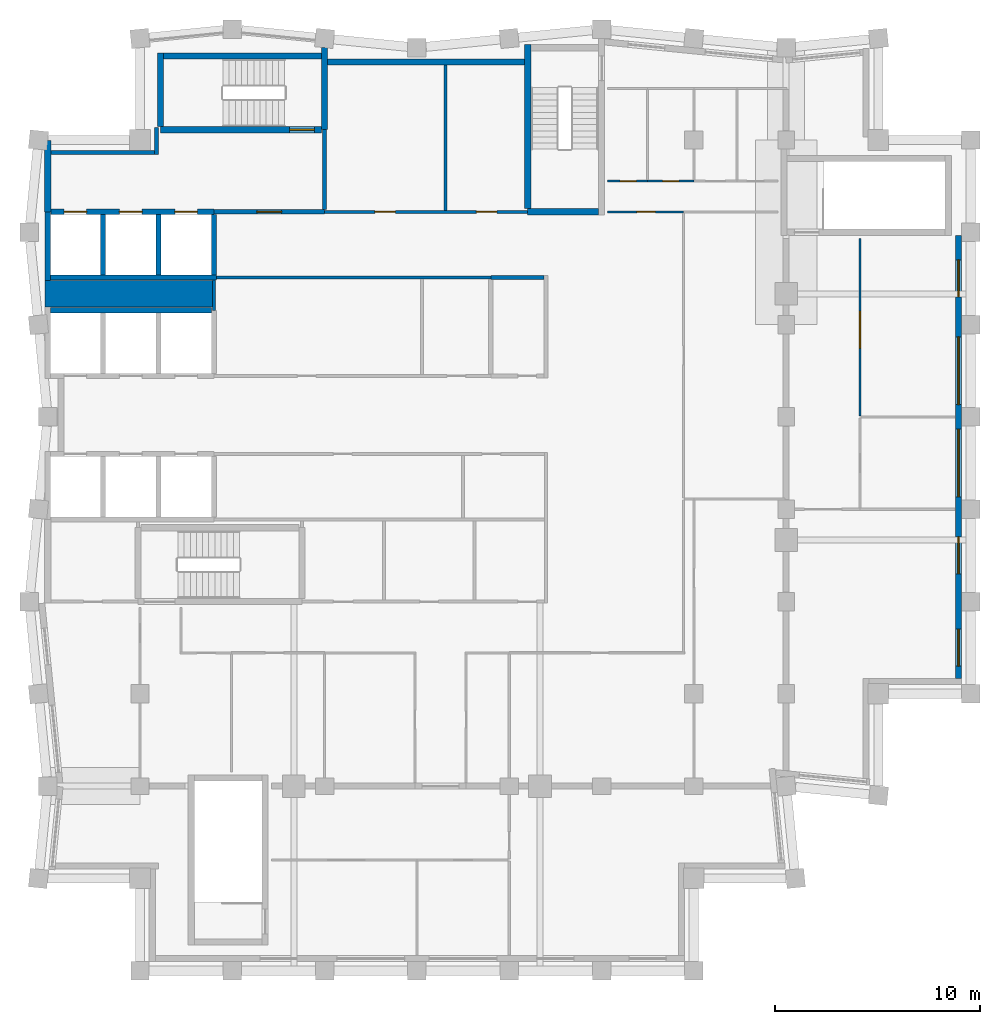
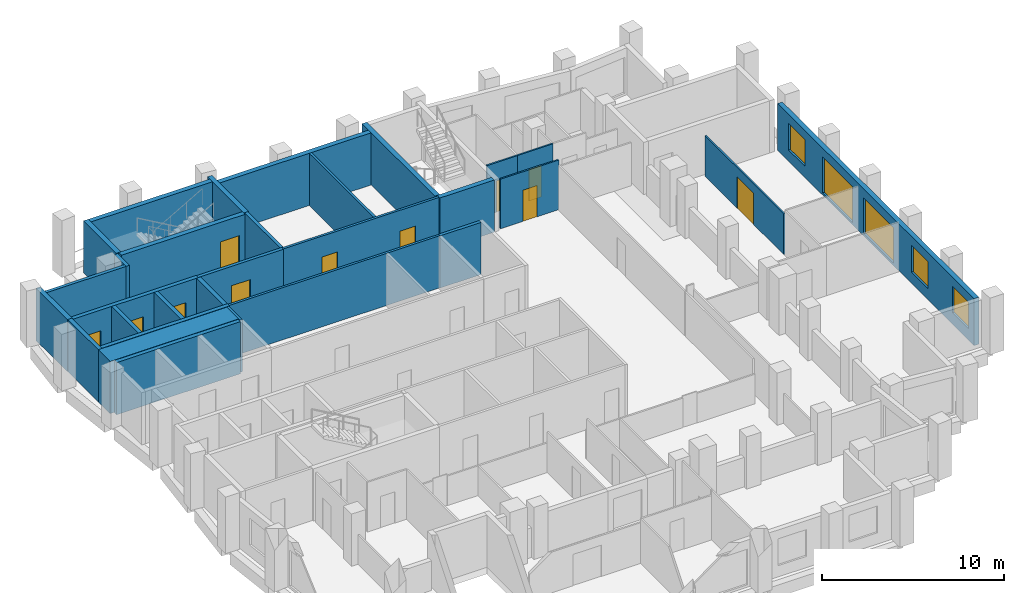
# One storey, part 5 of 7: 30 walls, 11 doors, 5 windows, 16 openings.
"""IFC4 building model written with IfcOpenShell, lengths in metres."""

import ifcopenshell
import ifcopenshell.guid

model = None  # the IFC model being written
_history = None  # IfcOwnerHistory: only IFC2X3 demands one
_inside = {}  # id of a spatial element -> (the spatial element, [elements in it])
_under = {}  # id of a project, library or spatial element -> (it, [spatial elements below it])
_declared = {}  # id of a project -> (the project, [libraries it declares])
_typed = {}  # id of a type object -> (the type object, [elements of that type])
_made_of = {}  # id of a material, layer set ... -> (it, [elements and type objects made of it])


def new_model(schema):
    """Start an empty IFC model of exactly this schema.

    Asked for "IFC4X3", IfcOpenShell would pick the latest addendum, in which some entities
    have other attributes; the version numbers below select the first issue.
    IFC2X3 requires an IfcOwnerHistory on every rooted entity: one is made here for all.
    """
    global model, _history
    if schema == "IFC4X3":
        model = ifcopenshell.file(schema_version=(4, 3, 0, 0))
    else:
        model = ifcopenshell.file(schema=schema)
    _inside.clear()
    _under.clear()
    _declared.clear()
    _typed.clear()
    _made_of.clear()
    _history = None
    if model.schema == "IFC2X3":
        org = make("IfcOrganization", Name="unknown")
        user = make(
            "IfcPersonAndOrganization",
            ThePerson=make("IfcPerson", FamilyName="unknown"),
            TheOrganization=org,
        )
        app = make(
            "IfcApplication",
            ApplicationDeveloper=org,
            Version="unknown",
            ApplicationFullName="unknown",
            ApplicationIdentifier="unknown",
        )
        _history = make(
            "IfcOwnerHistory",
            OwningUser=user,
            OwningApplication=app,
            ChangeAction="ADDED",
            CreationDate=0,
        )
    return model


def make(cls, **values):
    """One entity of the class cls with the attributes given. An attribute that is None is left unset."""
    return model.create_entity(
        cls, **{name: value for name, value in values.items() if value is not None}
    )


def rooted(cls, **values):
    """An entity with a GlobalId (a new one), such as an element, a storey or a relation."""
    return make(cls, GlobalId=ifcopenshell.guid.new(), OwnerHistory=_history, **values)


def si_unit(unit_type, name, prefix=None):
    """IfcSIUnit, for example si_unit("LENGTHUNIT", "METRE", prefix="MILLI")."""
    return make("IfcSIUnit", UnitType=unit_type, Prefix=prefix, Name=name)


def assignment(units):
    """IfcUnitAssignment: the units of a project."""
    return None if units is None else make("IfcUnitAssignment", Units=units)


def point(xyz):
    """IfcCartesianPoint."""
    return None if xyz is None else make("IfcCartesianPoint", Coordinates=xyz)


def direction(xyz):
    """IfcDirection."""
    return None if xyz is None else make("IfcDirection", DirectionRatios=xyz)


def frame(location, z_axis=None, x_axis=None):
    """IfcAxis2Placement3D, a coordinate frame: its origin and axes. An axis left out is left unset."""
    return make(
        "IfcAxis2Placement3D",
        Location=point(location),
        Axis=direction(z_axis),
        RefDirection=direction(x_axis),
    )


def frame_2d(location, x_axis=None):
    """IfcAxis2Placement2D, a coordinate frame in the plane: its origin and x axis."""
    return make(
        "IfcAxis2Placement2D", Location=point(location), RefDirection=direction(x_axis)
    )


def origin():
    """The frame at (0, 0, 0) with its axes left unset."""
    return frame((0.0, 0.0, 0.0))


def place(relative_to, where):
    """IfcLocalPlacement: puts the frame where relative to a parent placement (None: the world)."""
    return make(
        "IfcLocalPlacement", PlacementRelTo=relative_to, RelativePlacement=where
    )


def context(
    kind, dimensions, precision=None, world=None, true_north=None, identifier=None
):
    """IfcGeometricRepresentationContext, for example the 3D "Model" context."""
    return make(
        "IfcGeometricRepresentationContext",
        ContextIdentifier=identifier,
        ContextType=kind,
        CoordinateSpaceDimension=dimensions,
        Precision=precision,
        WorldCoordinateSystem=world,
        TrueNorth=true_north,
    )


def subcontext(parent, identifier, kind, view, scale=None):
    """IfcGeometricRepresentationSubContext, for example "Body" below "Model"."""
    return make(
        "IfcGeometricRepresentationSubContext",
        ContextIdentifier=identifier,
        ContextType=kind,
        ParentContext=parent,
        TargetScale=scale,
        TargetView=view,
    )


def project(units=None, contexts=None):
    """IfcProject with its units and contexts."""
    return rooted(
        "IfcProject",
        Name="project",
        RepresentationContexts=contexts,
        UnitsInContext=assignment(units),
    )


def spatial(cls, under=None, at=None, **own):
    """A site, building, storey or space (cls), placed at a placement, below another one or the project."""
    s = rooted(cls, ObjectPlacement=at, **own)
    if under is not None:
        _under.setdefault(under.id(), (under, []))[1].append(s)
    return s


def profile(cls, at=None, kind="AREA", **sizes):
    """A parametric profile (cls). Its sizes go by their IFC names, for example OverallWidth=200.0."""
    return make(cls, ProfileType=kind, Position=at, **sizes)


def rectangle(**sizes):
    """IfcRectangleProfileDef."""
    return profile("IfcRectangleProfileDef", **sizes)


def extrude(swept, where, along, depth):
    """IfcExtrudedAreaSolid: the profile swept, set in the frame where, extruded along a direction by depth."""
    return make(
        "IfcExtrudedAreaSolid",
        SweptArea=swept,
        Position=where,
        ExtrudedDirection=direction(along),
        Depth=depth,
    )


def shape(context_of_items, identifier, shape_type, items):
    """IfcShapeRepresentation: the items that make up one representation, for example the "Body"."""
    return make(
        "IfcShapeRepresentation",
        ContextOfItems=context_of_items,
        RepresentationIdentifier=identifier,
        RepresentationType=shape_type,
        Items=items,
    )


def material(Name=None, Category=None):
    """IfcMaterial."""
    return make("IfcMaterial", Name=Name, Category=Category)


def layer(
    of_material, thickness, ventilated=None, Name=None, Category=None, Priority=None
):
    """IfcMaterialLayer: one layer of a wall or slab, of a material (None: an air gap)."""
    return make(
        "IfcMaterialLayer",
        Material=of_material,
        LayerThickness=thickness,
        IsVentilated=ventilated,
        Name=Name,
        Category=Category,
        Priority=Priority,
    )


def layer_set(layers, Name=None):
    """IfcMaterialLayerSet."""
    return make("IfcMaterialLayerSet", MaterialLayers=layers, LayerSetName=Name)


def made_of(thing, what):
    """Note that an element or type object is made of a material, layer set ...; save() writes the relation."""
    if what is not None:
        _made_of.setdefault(what.id(), (what, []))[1].append(thing)
    return thing


def type_object(cls, material=None, **own):
    """A type object (cls), such as IfcWallType, which elements share."""
    return made_of(rooted(cls, **own), material)


def element(
    cls,
    number,
    at=None,
    inside=None,
    cuts=None,
    type_object=None,
    material=None,
    context=None,
    identifier="Body",
    shape_type=None,
    held_by="IfcProductDefinitionShape",
    body=None,
    shapes=None,
    **own,
):
    """One element of the class cls, such as IfcWall. Its Tag is "e" and its number.

    at: its placement. inside: the storey or other place that contains it. cuts: it is an
    opening in that element (IfcRelVoidsElement). A single representation is given by context,
    identifier, shape_type and body (its items); several are given by shapes. held_by: the class
    of the entity that holds the representations. save() writes the other relations.
    """
    e = rooted(cls, Tag="e%d" % number, ObjectPlacement=at, **own)
    if body is not None:
        shapes = [shape(context, identifier, shape_type, body)]
    if shapes is not None:
        e.Representation = make(held_by, Representations=shapes)
    if inside is not None:
        _inside.setdefault(inside.id(), (inside, []))[1].append(e)
    if cuts is not None:
        rooted(
            "IfcRelVoidsElement", RelatingBuildingElement=cuts, RelatedOpeningElement=e
        )
    if type_object is not None:
        _typed.setdefault(type_object.id(), (type_object, []))[1].append(e)
    return made_of(e, material)


def fill(opening, filler):
    """IfcRelFillsElement: the door or window that sits in an opening."""
    return rooted(
        "IfcRelFillsElement",
        RelatingOpeningElement=opening,
        RelatedBuildingElement=filler,
    )


def aggregate(whole, parts):
    """IfcRelAggregates: a whole, such as a stair, and the parts it consists of."""
    return rooted("IfcRelAggregates", RelatingObject=whole, RelatedObjects=parts)


def save(model, path):
    """Write the relations noted so far, then the file.

    IfcRelAggregates (storeys below a building ...), IfcRelContainedInSpatialStructure (elements
    in a storey), IfcRelDefinesByType, IfcRelAssociatesMaterial and IfcRelDeclares: one each for
    every whole, place, type object, material and project.
    """
    for whole, parts in _under.values():
        aggregate(whole, parts)
    for where, things in _inside.values():
        rooted(
            "IfcRelContainedInSpatialStructure",
            RelatedElements=things,
            RelatingStructure=where,
        )
    for kind, things in _typed.values():
        rooted("IfcRelDefinesByType", RelatedObjects=things, RelatingType=kind)
    for what, things in _made_of.values():
        rooted("IfcRelAssociatesMaterial", RelatedObjects=things, RelatingMaterial=what)
    for by, libraries in _declared.values():
        rooted("IfcRelDeclares", RelatingContext=by, RelatedDefinitions=libraries)
    model.write(path)


model = new_model("IFC4")

# Units and contexts
model_context = context("Model", 3, precision=1e-05, world=origin(), true_north=direction((0.0, 1.0)))
body_context = subcontext(model_context, "Body", "Model", "MODEL_VIEW")
ifc_project = project(units=[si_unit("LENGTHUNIT", "METRE"), si_unit("AREAUNIT", "SQUARE_METRE"), si_unit("VOLUMEUNIT", "CUBIC_METRE"), si_unit("PLANEANGLEUNIT", "RADIAN"), si_unit("MASSUNIT", "GRAM", prefix="KILO")], contexts=[model_context])

# Site, building, storey
site_placement = place(None, origin())
site = spatial("IfcSite", under=ifc_project, at=site_placement, CompositionType="ELEMENT")
building_placement = place(site_placement, origin())
building = spatial("IfcBuilding", under=site, at=building_placement, Name="Brondeck Convention Tower", CompositionType="ELEMENT")
storey_placement = place(building_placement, frame((0.0, 0.0, 279.0)))
storey = spatial("IfcBuildingStorey", under=building, at=storey_placement, Name="L69", CompositionType="ELEMENT", Elevation=279.0)

# Wall
ifc_material_1 = material(Name="Concrete C50/60", Category="concrete")
ifc_layer_1 = layer(ifc_material_1, 0.14990234375)
ifc_layer_set_1 = layer_set([ifc_layer_1], Name="Core beam-seat wall 150 Concrete C50/60")
wall_type_1 = type_object("IfcWallType", Name="Core beam-seat wall 150 Concrete C50/60", PredefinedType="SHEAR", material=ifc_layer_set_1)
wall_1_placement = place(storey_placement, frame((8.22509765625, 51.800048828125, 0.0), z_axis=(0.0, 0.0, 1.0), x_axis=(1.0, 0.0, 0.0)))
element("IfcWall", 1, at=wall_1_placement, inside=storey, type_object=wall_type_1, Name="L69 core wall", PredefinedType="SHEAR", context=body_context, shape_type="SweptSolid", body=[
    extrude(rectangle(XDim=13.375, YDim=0.14990234375, at=frame_2d((6.6875, 0.0))), origin(), (0.0, 0.0, 1.0), 3.5),
])

# Wall, openings, doors
wall_2_placement = place(storey_placement, frame((13.5, 55.0, 0.0), z_axis=(0.0, 0.0, 1.0), x_axis=(1.0, 0.0, 0.0)))
wall_2 = element("IfcWall", 2, at=wall_2_placement, inside=storey, type_object=wall_type_1, Name="L69 core wall", PredefinedType="SHEAR", context=body_context, shape_type="SweptSolid", body=[
    extrude(rectangle(XDim=9.89990234375, YDim=0.14990234375, at=frame_2d((4.949951171875, 0.0))), origin(), (0.0, 0.0, 1.0), 3.5),
])
opening_1_placement = place(wall_2_placement, frame((2.449951171875, 0.0, 0.0)))
opening_1 = element("IfcOpeningElement", 3, at=opening_1_placement, cuts=wall_2, Name="Opening C39-11", PredefinedType="OPENING", context=body_context, shape_type="SweptSolid", body=[
    extrude(rectangle(XDim=1.0, YDim=2.10009765625, at=frame_2d((0.5, 1.050048828125))), frame((0.0, 0.0849609375, 0.0), z_axis=(0.0, -1.0, 0.0), x_axis=(1.0, 0.0, 0.0)), (0.0, 0.0, 1.0), 0.169921875),
])
opening_2_placement = place(wall_2_placement, frame((7.39990234375, 0.0, 0.0)))
opening_2 = element("IfcOpeningElement", 4, at=opening_2_placement, cuts=wall_2, Name="Opening C39-12", PredefinedType="OPENING", context=body_context, shape_type="SweptSolid", body=[
    extrude(rectangle(XDim=1.0, YDim=2.10009765625, at=frame_2d((0.5, 1.050048828125))), frame((0.0, 0.0849609375, 0.0), z_axis=(0.0, -1.0, 0.0), x_axis=(1.0, 0.0, 0.0)), (0.0, 0.0, 1.0), 0.169921875),
])
ifc_material_2 = material(Name="Steel fire door", Category="steel")
door_type_1 = type_object("IfcDoorType", Name="Room door 1000x2100 EI 60", OperationType="NOTDEFINED", PredefinedType="DOOR", material=ifc_material_2)
door_1_placement = place(opening_1_placement, origin())
door_1 = element("IfcDoor", 5, at=door_1_placement, inside=storey, type_object=door_type_1, Name="L69 Room door NE-1", OperationType="SINGLE_SWING_LEFT", OverallHeight=2.10009765625, OverallWidth=1.0, PredefinedType="DOOR", context=body_context, shape_type="SweptSolid", body=[
    extrude(rectangle(XDim=1.0, YDim=2.10009765625, at=frame_2d((0.5, 1.050048828125))), frame((0.0, 0.02490234375, 0.0), z_axis=(0.0, -1.0, 0.0), x_axis=(1.0, 0.0, 0.0)), (0.0, 0.0, 1.0), 0.050048828125),
])
fill(opening_1, door_1)
door_2_placement = place(opening_2_placement, origin())
door_2 = element("IfcDoor", 6, at=door_2_placement, inside=storey, type_object=door_type_1, Name="L69 Room door NE-2", OperationType="SINGLE_SWING_RIGHT", OverallHeight=2.10009765625, OverallWidth=1.0, PredefinedType="DOOR", context=body_context, shape_type="SweptSolid", body=[
    extrude(rectangle(XDim=1.0, YDim=2.10009765625, at=frame_2d((0.5, 1.050048828125))), frame((0.0, 0.02490234375, 0.0), z_axis=(0.0, -1.0, 0.0), x_axis=(1.0, 0.0, 0.0)), (0.0, 0.0, 1.0), 0.050048828125),
])
fill(opening_2, door_2)

# Walls
wall_3_placement = place(storey_placement, frame((8.10009765625, 50.199951171875, 0.0), z_axis=(0.0, 0.0, 1.0), x_axis=(0.0, 1.0, 0.0)))
element("IfcWall", 7, at=wall_3_placement, inside=storey, type_object=wall_type_1, Name="L69 core wall", PredefinedType="SHEAR", context=body_context, shape_type="SweptSolid", body=[
    extrude(rectangle(XDim=1.47509765625, YDim=0.14990234375, at=frame_2d((0.737548828125, 0.0))), origin(), (0.0, 0.0, 1.0), 3.5),
])
wall_4_placement = place(storey_placement, frame((19.39990234375, 55.074951171875, 0.0), z_axis=(0.0, 0.0, 1.0), x_axis=(0.0, 1.0, 0.0)))
element("IfcWall", 8, at=wall_4_placement, inside=storey, type_object=wall_type_1, Name="L69 core wall", PredefinedType="SHEAR", context=body_context, shape_type="SweptSolid", body=[
    extrude(rectangle(XDim=7.074951171875, YDim=0.14990234375, at=frame_2d((3.53759765625, 0.0))), origin(), (0.0, 0.0, 1.0), 3.5),
])
ifc_layer_2 = layer(ifc_material_1, 0.199951171875)
ifc_layer_set_2 = layer_set([ifc_layer_2], Name="Core beam-seat wall 200 Concrete C50/60")
wall_type_2 = type_object("IfcWallType", Name="Core beam-seat wall 200 Concrete C50/60", PredefinedType="SHEAR", material=ifc_layer_set_2)
wall_5_placement = place(storey_placement, frame((21.60009765625, 51.800048828125, 0.0), z_axis=(0.0, 0.0, 1.0), x_axis=(1.0, 0.0, 0.0)))
element("IfcWall", 9, at=wall_5_placement, inside=storey, type_object=wall_type_2, Name="L69 core wall", PredefinedType="SHEAR", context=body_context, shape_type="SweptSolid", body=[
    extrude(rectangle(XDim=2.599853515625, YDim=0.199951171875, at=frame_2d((1.2998046875, 0.0))), origin(), (0.0, 0.0, 1.0), 3.5),
])

# Wall, opening, door
wall_6_placement = place(storey_placement, frame((8.10009765625, 55.0, 0.0), z_axis=(0.0, 0.0, 1.0), x_axis=(1.0, 0.0, 0.0)))
wall_6 = element("IfcWall", 10, at=wall_6_placement, inside=storey, type_object=wall_type_2, Name="L69 core wall", PredefinedType="SHEAR", context=body_context, shape_type="SweptSolid", body=[
    extrude(rectangle(XDim=5.39990234375, YDim=0.199951171875, at=frame_2d((2.699951171875, 0.0))), origin(), (0.0, 0.0, 1.0), 3.5),
])
opening_3_placement = place(wall_6_placement, frame((2.10009765625, 0.0, 0.0)))
opening_3 = element("IfcOpeningElement", 11, at=opening_3_placement, cuts=wall_6, Name="Opening C39-01", PredefinedType="OPENING", context=body_context, shape_type="SweptSolid", body=[
    extrude(rectangle(XDim=1.199951171875, YDim=2.199951171875, at=frame_2d((0.60009765625, 1.10009765625))), frame((0.0, 0.10986328125, 0.0), z_axis=(0.0, -1.0, 0.0), x_axis=(1.0, 0.0, 0.0)), (0.0, 0.0, 1.0), 0.219970703125),
])
door_type_2 = type_object("IfcDoorType", Name="Firefighting lobby door 1200x2200 EI 120", OperationType="NOTDEFINED", PredefinedType="DOOR", material=ifc_material_2)
door_3_placement = place(opening_3_placement, origin())
door_3 = element("IfcDoor", 12, at=door_3_placement, inside=storey, type_object=door_type_2, Name="L69 Firefighting lobby door FFL-1", OperationType="SINGLE_SWING_RIGHT", OverallHeight=2.199951171875, OverallWidth=1.199951171875, PredefinedType="DOOR", context=body_context, shape_type="SweptSolid", body=[
    extrude(rectangle(XDim=1.199951171875, YDim=2.199951171875, at=frame_2d((0.60009765625, 1.10009765625))), frame((0.0, 0.02490234375, 0.0), z_axis=(0.0, -1.0, 0.0), x_axis=(1.0, 0.0, 0.0)), (0.0, 0.0, 1.0), 0.050048828125),
])
fill(opening_3, door_3)

# Walls
wall_7_placement = place(storey_placement, frame((0.14990234375, 57.89990234375, 0.0), z_axis=(0.0, 0.0, 1.0), x_axis=(1.0, 0.0, 0.0)))
element("IfcWall", 13, at=wall_7_placement, inside=storey, type_object=wall_type_2, Name="L69 core wall", PredefinedType="SHEAR", context=body_context, shape_type="SweptSolid", body=[
    extrude(rectangle(XDim=5.050048828125, YDim=0.199951171875, at=frame_2d((2.52490234375, 0.0))), origin(), (0.0, 0.0, 1.0), 3.5),
])
wall_8_placement = place(storey_placement, frame((5.300048828125, 57.800048828125, 0.0), z_axis=(0.0, 0.0, 1.0), x_axis=(0.0, 1.0, 0.0)))
element("IfcWall", 14, at=wall_8_placement, inside=storey, type_object=wall_type_2, Name="L69 core wall", PredefinedType="SHEAR", context=body_context, shape_type="SweptSolid", body=[
    extrude(rectangle(XDim=1.300048828125, YDim=0.199951171875, at=frame_2d((0.64990234375, 0.0))), origin(), (0.0, 0.0, 1.0), 3.5),
])
wall_9_placement = place(storey_placement, frame((13.5, 55.10009765625, 0.0), z_axis=(0.0, 0.0, 1.0), x_axis=(0.0, 1.0, 0.0)))
element("IfcWall", 15, at=wall_9_placement, inside=storey, type_object=wall_type_2, Name="L69 core wall", PredefinedType="SHEAR", context=body_context, shape_type="SweptSolid", body=[
    extrude(rectangle(XDim=3.89990234375, YDim=0.199951171875, at=frame_2d((1.949951171875, 0.0))), origin(), (0.0, 0.0, 1.0), 3.5),
])
ifc_layer_3 = layer(ifc_material_1, 0.300048828125)
ifc_layer_set_3 = layer_set([ifc_layer_3], Name="Core outer wall 300 Concrete C50/60")
wall_type_3 = type_object("IfcWallType", Name="Core outer wall 300 Concrete C50/60", PredefinedType="SHEAR", material=ifc_layer_set_3)
wall_10_placement = place(storey_placement, frame((13.64990234375, 62.300048828125, 0.0), z_axis=(0.0, 0.0, 1.0), x_axis=(1.0, 0.0, 0.0)))
element("IfcWall", 16, at=wall_10_placement, inside=storey, type_object=wall_type_3, Name="L69 core wall", PredefinedType="SHEAR", context=body_context, shape_type="SweptSolid", body=[
    extrude(rectangle(XDim=9.60009765625, YDim=0.300048828125, at=frame_2d((4.800048828125, 0.0))), origin(), (0.0, 0.0, 1.0), 3.5),
])
wall_11_placement = place(storey_placement, frame((0.0, 55.0, 0.0), z_axis=(0.0, 0.0, 1.0), x_axis=(0.0, 1.0, 0.0)))
element("IfcWall", 17, at=wall_11_placement, inside=storey, type_object=wall_type_3, Name="L69 core wall", PredefinedType="SHEAR", context=body_context, shape_type="SweptSolid", body=[
    extrude(rectangle(XDim=3.4775390625, YDim=0.300048828125, at=frame_2d((1.73876953125, 0.0))), origin(), (0.0, 0.0, 1.0), 3.5),
])
ifc_layer_4 = layer(ifc_material_1, 1.300048828125)
ifc_layer_set_4 = layer_set([ifc_layer_4], Name="Core shear wall 1300 Concrete C50/60")
wall_type_4 = type_object("IfcWallType", Name="Core shear wall 1300 Concrete C50/60", PredefinedType="SHEAR", material=ifc_layer_set_4)
wall_12_placement = place(storey_placement, frame((-0.125, 51.0, 0.0), z_axis=(0.0, 0.0, 1.0), x_axis=(1.0, 0.0, 0.0)))
element("IfcWall", 18, at=wall_12_placement, inside=storey, type_object=wall_type_4, Name="L69 core wall", PredefinedType="SHEAR", context=body_context, shape_type="SweptSolid", body=[
    extrude(rectangle(XDim=8.14990234375, YDim=1.300048828125, at=frame_2d((4.074951171875, 0.0))), origin(), (0.0, 0.0, 1.0), 3.5),
])

# Wall, openings, windows
ifc_material_3 = material(Name="Precast concrete C50/60 bronze finish", Category="concrete")
ifc_layer_5 = layer(ifc_material_3, 0.070068359375, Name="Bronze precast facing")
ifc_material_4 = material(Name="Mineral wool")
ifc_layer_6 = layer(ifc_material_4, 0.159912109375, Name="Insulation")
ifc_material_5 = material(Name="Concrete C35/45", Category="concrete")
ifc_layer_7 = layer(ifc_material_5, 0.070068359375, Name="Backing")
ifc_layer_set_5 = layer_set([ifc_layer_5, ifc_layer_6, ifc_layer_7], Name="External infill wall, precast concrete C50/60 bronze facing")
wall_type_5 = type_object("IfcWallType", Name="External infill wall, precast concrete C50/60 bronze facing", PredefinedType="SOLIDWALL", material=ifc_layer_set_5)
wall_13_placement = place(storey_placement, frame((44.39990234375, 53.85009765625, 0.0), z_axis=(0.0, 0.0, 1.0), x_axis=(0.0, -1.0, 0.0)))
wall_13 = element("IfcWall", 19, at=wall_13_placement, inside=storey, type_object=wall_type_5, Name="ENV-EW-L69-P3-A-E45-01", PredefinedType="SOLIDWALL", context=body_context, shape_type="SweptSolid", body=[
    extrude(rectangle(XDim=21.60205078125, YDim=0.300048828125, at=frame_2d((10.801025390625, 0.0))), origin(), (0.0, 0.0, 1.0), 3.14990234375),
])
opening_4_placement = place(wall_13_placement, frame((1.199951171875, 0.0, 0.75)))
opening_4 = element("IfcOpeningElement", 20, at=opening_4_placement, cuts=wall_13, Name="Opening W10", PredefinedType="OPENING", context=body_context, shape_type="SweptSolid", body=[
    extrude(rectangle(XDim=1.800048828125, YDim=1.800048828125, at=frame_2d((0.89990234375, 0.89990234375))), frame((0.0, 0.159912109375, 0.0), z_axis=(0.0, -1.0, 0.0), x_axis=(1.0, 0.0, 0.0)), (0.0, 0.0, 1.0), 0.320068359375),
])
opening_5_placement = place(wall_13_placement, frame((4.949951171875, 0.0, 0.14990234375)))
opening_5 = element("IfcOpeningElement", 21, at=opening_5_placement, cuts=wall_13, Name="Opening W9", PredefinedType="OPENING", context=body_context, shape_type="SweptSolid", body=[
    extrude(rectangle(XDim=3.300048828125, YDim=2.39990234375, at=frame_2d((1.64990234375, 1.199951171875))), frame((0.0, 0.159912109375, 0.0), z_axis=(0.0, -1.0, 0.0), x_axis=(1.0, 0.0, 0.0)), (0.0, 0.0, 1.0), 0.320068359375),
])
opening_6_placement = place(wall_13_placement, frame((9.449951171875, 0.0, 0.14990234375)))
opening_6 = element("IfcOpeningElement", 22, at=opening_6_placement, cuts=wall_13, Name="Opening W9", PredefinedType="OPENING", context=body_context, shape_type="SweptSolid", body=[
    extrude(rectangle(XDim=3.300048828125, YDim=2.39990234375, at=frame_2d((1.64990234375, 1.199951171875))), frame((0.0, 0.159912109375, 0.0), z_axis=(0.0, -1.0, 0.0), x_axis=(1.0, 0.0, 0.0)), (0.0, 0.0, 1.0), 0.320068359375),
])
opening_7_placement = place(wall_13_placement, frame((14.699951171875, 0.0, 0.75)))
opening_7 = element("IfcOpeningElement", 23, at=opening_7_placement, cuts=wall_13, Name="Opening W10", PredefinedType="OPENING", context=body_context, shape_type="SweptSolid", body=[
    extrude(rectangle(XDim=1.800048828125, YDim=1.800048828125, at=frame_2d((0.89990234375, 0.89990234375))), frame((0.0, 0.159912109375, 0.0), z_axis=(0.0, -1.0, 0.0), x_axis=(1.0, 0.0, 0.0)), (0.0, 0.0, 1.0), 0.320068359375),
])
opening_8_placement = place(wall_13_placement, frame((19.199951171875, 0.0, 0.75)))
opening_8 = element("IfcOpeningElement", 24, at=opening_8_placement, cuts=wall_13, Name="Opening W10", PredefinedType="OPENING", context=body_context, shape_type="SweptSolid", body=[
    extrude(rectangle(XDim=1.800048828125, YDim=1.800048828125, at=frame_2d((0.89990234375, 0.89990234375))), frame((0.0, 0.159912109375, 0.0), z_axis=(0.0, -1.0, 0.0), x_axis=(1.0, 0.0, 0.0)), (0.0, 0.0, 1.0), 0.320068359375),
])
ifc_material_6 = material(Name="Bronze tinted double glazing", Category="glass")
window_type_1 = type_object("IfcWindowType", Name="Glazed flute window, bronze tinted", PartitioningType="SINGLE_PANEL", PredefinedType="WINDOW", material=ifc_material_6)
window_1_placement = place(opening_5_placement, origin())
window_1 = element("IfcWindow", 25, at=window_1_placement, inside=storey, type_object=window_type_1, Name="ENV-WN-L69-P3-A-E45-04", OverallHeight=2.39990234375, OverallWidth=3.300048828125, PartitioningType="SINGLE_PANEL", PredefinedType="WINDOW", context=body_context, shape_type="SweptSolid", body=[
    extrude(rectangle(XDim=3.300048828125, YDim=2.39990234375, at=frame_2d((1.64990234375, 1.199951171875))), frame((0.0, 0.030029296875, 0.0), z_axis=(0.0, -1.0, 0.0), x_axis=(1.0, 0.0, 0.0)), (0.0, 0.0, 1.0), 0.06005859375),
])
fill(opening_5, window_1)
window_2_placement = place(opening_6_placement, origin())
window_2 = element("IfcWindow", 26, at=window_2_placement, inside=storey, type_object=window_type_1, Name="ENV-WN-L69-P3-A-E45-03", OverallHeight=2.39990234375, OverallWidth=3.300048828125, PartitioningType="SINGLE_PANEL", PredefinedType="WINDOW", context=body_context, shape_type="SweptSolid", body=[
    extrude(rectangle(XDim=3.300048828125, YDim=2.39990234375, at=frame_2d((1.64990234375, 1.199951171875))), frame((0.0, 0.030029296875, 0.0), z_axis=(0.0, -1.0, 0.0), x_axis=(1.0, 0.0, 0.0)), (0.0, 0.0, 1.0), 0.06005859375),
])
fill(opening_6, window_2)
window_type_2 = type_object("IfcWindowType", Name="Punched window, bronze tinted", PartitioningType="SINGLE_PANEL", PredefinedType="WINDOW", material=ifc_material_6)
window_3_placement = place(opening_4_placement, origin())
window_3 = element("IfcWindow", 27, at=window_3_placement, inside=storey, type_object=window_type_2, Name="ENV-WN-L69-P3-A-E45-05", OverallHeight=1.800048828125, OverallWidth=1.800048828125, PartitioningType="SINGLE_PANEL", PredefinedType="WINDOW", context=body_context, shape_type="SweptSolid", body=[
    extrude(rectangle(XDim=1.800048828125, YDim=1.800048828125, at=frame_2d((0.89990234375, 0.89990234375))), frame((0.0, 0.030029296875, 0.0), z_axis=(0.0, -1.0, 0.0), x_axis=(1.0, 0.0, 0.0)), (0.0, 0.0, 1.0), 0.06005859375),
])
fill(opening_4, window_3)
window_4_placement = place(opening_7_placement, origin())
window_4 = element("IfcWindow", 28, at=window_4_placement, inside=storey, type_object=window_type_2, Name="ENV-WN-L69-P3-A-E45-02", OverallHeight=1.800048828125, OverallWidth=1.800048828125, PartitioningType="SINGLE_PANEL", PredefinedType="WINDOW", context=body_context, shape_type="SweptSolid", body=[
    extrude(rectangle(XDim=1.800048828125, YDim=1.800048828125, at=frame_2d((0.89990234375, 0.89990234375))), frame((0.0, 0.030029296875, 0.0), z_axis=(0.0, -1.0, 0.0), x_axis=(1.0, 0.0, 0.0)), (0.0, 0.0, 1.0), 0.06005859375),
])
fill(opening_7, window_4)
window_5_placement = place(opening_8_placement, origin())
window_5 = element("IfcWindow", 29, at=window_5_placement, inside=storey, type_object=window_type_2, Name="ENV-WN-L69-P3-A-E45-01", OverallHeight=1.800048828125, OverallWidth=1.800048828125, PartitioningType="SINGLE_PANEL", PredefinedType="WINDOW", context=body_context, shape_type="SweptSolid", body=[
    extrude(rectangle(XDim=1.800048828125, YDim=1.800048828125, at=frame_2d((0.89990234375, 0.89990234375))), frame((0.0, 0.030029296875, 0.0), z_axis=(0.0, -1.0, 0.0), x_axis=(1.0, 0.0, 0.0)), (0.0, 0.0, 1.0), 0.06005859375),
])
fill(opening_8, window_5)

# Walls
ifc_layer_8 = layer(ifc_material_1, 0.25)
ifc_layer_set_6 = layer_set([ifc_layer_8], Name="Lift shaft wall 250 Concrete C50/60")
wall_type_6 = type_object("IfcWallType", Name="Lift shaft wall 250 Concrete C50/60", PredefinedType="SHEAR", material=ifc_layer_set_6)
wall_14_placement = place(storey_placement, frame((0.125, 50.199951171875, 0.0), z_axis=(0.0, 0.0, 1.0), x_axis=(1.0, 0.0, 0.0)))
element("IfcWall", 30, at=wall_14_placement, inside=storey, type_object=wall_type_6, Name="L69 core wall", PredefinedType="SHEAR", context=body_context, shape_type="SweptSolid", body=[
    extrude(rectangle(XDim=7.85009765625, YDim=0.25, at=frame_2d((3.925048828125, 0.0))), origin(), (0.0, 0.0, 1.0), 3.5),
])
wall_15_placement = place(storey_placement, frame((0.125, 51.800048828125, 0.0), z_axis=(0.0, 0.0, 1.0), x_axis=(1.0, 0.0, 0.0)))
element("IfcWall", 31, at=wall_15_placement, inside=storey, type_object=wall_type_6, Name="L69 core wall", PredefinedType="SHEAR", context=body_context, shape_type="SweptSolid", body=[
    extrude(rectangle(XDim=8.10009765625, YDim=0.25, at=frame_2d((4.050048828125, 0.0))), origin(), (0.0, 0.0, 1.0), 3.5),
])

# Wall, openings, doors
wall_16_placement = place(storey_placement, frame((0.14990234375, 55.0, 0.0), z_axis=(0.0, 0.0, 1.0), x_axis=(1.0, 0.0, 0.0)))
wall_16 = element("IfcWall", 32, at=wall_16_placement, inside=storey, type_object=wall_type_6, Name="L69 core wall", PredefinedType="SHEAR", context=body_context, shape_type="SweptSolid", body=[
    extrude(rectangle(XDim=7.9501953125, YDim=0.25, at=frame_2d((3.97509765625, 0.0))), origin(), (0.0, 0.0, 1.0), 3.5),
])
opening_9_placement = place(wall_16_placement, frame((0.64990234375, 0.0, 0.0)))
opening_9 = element("IfcOpeningElement", 33, at=opening_9_placement, cuts=wall_16, Name="Opening C39-18", PredefinedType="OPENING", context=body_context, shape_type="SweptSolid", body=[
    extrude(rectangle(XDim=1.10009765625, YDim=2.10009765625, at=frame_2d((0.550048828125, 1.050048828125))), frame((0.0, 0.135009765625, 0.0), z_axis=(0.0, -1.0, 0.0), x_axis=(1.0, 0.0, 0.0)), (0.0, 0.0, 1.0), 0.27001953125),
])
opening_10_placement = place(wall_16_placement, frame((3.35009765625, 0.0, 0.0)))
opening_10 = element("IfcOpeningElement", 34, at=opening_10_placement, cuts=wall_16, Name="Opening C39-19", PredefinedType="OPENING", context=body_context, shape_type="SweptSolid", body=[
    extrude(rectangle(XDim=1.10009765625, YDim=2.10009765625, at=frame_2d((0.550048828125, 1.050048828125))), frame((0.0, 0.135009765625, 0.0), z_axis=(0.0, -1.0, 0.0), x_axis=(1.0, 0.0, 0.0)), (0.0, 0.0, 1.0), 0.27001953125),
])
opening_11_placement = place(wall_16_placement, frame((6.050048828125, 0.0, 0.0)))
opening_11 = element("IfcOpeningElement", 35, at=opening_11_placement, cuts=wall_16, Name="Opening C39-20", PredefinedType="OPENING", context=body_context, shape_type="SweptSolid", body=[
    extrude(rectangle(XDim=1.10009765625, YDim=2.10009765625, at=frame_2d((0.550048828125, 1.050048828125))), frame((0.0, 0.135009765625, 0.0), z_axis=(0.0, -1.0, 0.0), x_axis=(1.0, 0.0, 0.0)), (0.0, 0.0, 1.0), 0.27001953125),
])
ifc_material_7 = material(Name="Stainless steel lift door", Category="steel")
door_type_3 = type_object("IfcDoorType", Name="Lift landing door 1100x2100 EI 180", OperationType="DOUBLE_DOOR_SLIDING", PredefinedType="DOOR", material=ifc_material_7)
door_4_placement = place(opening_9_placement, origin())
door_4 = element("IfcDoor", 36, at=door_4_placement, inside=storey, type_object=door_type_3, Name="L69 Lift landing door FF1", OperationType="DOUBLE_DOOR_SLIDING", OverallHeight=2.10009765625, OverallWidth=1.10009765625, PredefinedType="DOOR", context=body_context, shape_type="SweptSolid", body=[
    extrude(rectangle(XDim=1.10009765625, YDim=2.10009765625, at=frame_2d((0.550048828125, 1.050048828125))), frame((0.0, 0.02490234375, 0.0), z_axis=(0.0, -1.0, 0.0), x_axis=(1.0, 0.0, 0.0)), (0.0, 0.0, 1.0), 0.050048828125),
])
fill(opening_9, door_4)
door_5_placement = place(opening_10_placement, origin())
door_5 = element("IfcDoor", 37, at=door_5_placement, inside=storey, type_object=door_type_3, Name="L69 Lift landing door FF2", OperationType="DOUBLE_DOOR_SLIDING", OverallHeight=2.10009765625, OverallWidth=1.10009765625, PredefinedType="DOOR", context=body_context, shape_type="SweptSolid", body=[
    extrude(rectangle(XDim=1.10009765625, YDim=2.10009765625, at=frame_2d((0.550048828125, 1.050048828125))), frame((0.0, 0.02490234375, 0.0), z_axis=(0.0, -1.0, 0.0), x_axis=(1.0, 0.0, 0.0)), (0.0, 0.0, 1.0), 0.050048828125),
])
fill(opening_10, door_5)
door_6_placement = place(opening_11_placement, origin())
door_6 = element("IfcDoor", 38, at=door_6_placement, inside=storey, type_object=door_type_3, Name="L69 Lift landing door FF3", OperationType="DOUBLE_DOOR_SLIDING", OverallHeight=2.10009765625, OverallWidth=1.10009765625, PredefinedType="DOOR", context=body_context, shape_type="SweptSolid", body=[
    extrude(rectangle(XDim=1.10009765625, YDim=2.10009765625, at=frame_2d((0.550048828125, 1.050048828125))), frame((0.0, 0.02490234375, 0.0), z_axis=(0.0, -1.0, 0.0), x_axis=(1.0, 0.0, 0.0)), (0.0, 0.0, 1.0), 0.050048828125),
])
fill(opening_11, door_6)

# Walls
wall_17_placement = place(storey_placement, frame((0.0, 51.64990234375, 0.0), z_axis=(0.0, 0.0, 1.0), x_axis=(0.0, 1.0, 0.0)))
element("IfcWall", 39, at=wall_17_placement, inside=storey, type_object=wall_type_6, Name="L69 core wall", PredefinedType="SHEAR", context=body_context, shape_type="SweptSolid", body=[
    extrude(rectangle(XDim=3.35009765625, YDim=0.25, at=frame_2d((1.675048828125, 0.0))), origin(), (0.0, 0.0, 1.0), 3.5),
])
for number, where, z_axis, x_axis, name in (
    (40, (2.699951171875, 51.925048828125, 0.0), (0.0, 0.0, 1.0), (0.0, 1.0, 0.0), "L69 core wall"),
    (41, (5.39990234375, 51.925048828125, 0.0), (0.0, 0.0, 1.0), (0.0, 1.0, 0.0), "L69 core wall"),
    (42, (8.10009765625, 51.925048828125, 0.0), (0.0, 0.0, 1.0), (0.0, 1.0, 0.0), "L69 core wall"),
):
    element("IfcWall", number, at=place(storey_placement, frame(where, z_axis=z_axis, x_axis=x_axis)), inside=storey, type_object=wall_type_6, Name=name, PredefinedType="SHEAR", context=body_context, shape_type="SweptSolid", body=[
        extrude(rectangle(XDim=2.949951171875, YDim=0.25, at=frame_2d((1.47509765625, 0.0))), origin(), (0.0, 0.0, 1.0), 3.5),
    ])

# Wall, opening, door
ifc_material_8 = material(Name="Gypsum board partition on steel studs", Category="steel")
ifc_layer_9 = layer(ifc_material_8, 0.10009765625)
ifc_layer_set_7 = layer_set([ifc_layer_9], Name="Room partition 100")
wall_type_7 = type_object("IfcWallType", Name="Room partition 100", PredefinedType="PARTITIONING", material=ifc_layer_set_7)
wall_18_placement = place(storey_placement, frame((39.60009765625, 53.699951171875, 0.0), z_axis=(0.0, 0.0, 1.0), x_axis=(0.0, -1.0, 0.0)))
wall_18 = element("IfcWall", 43, at=wall_18_placement, inside=storey, type_object=wall_type_7, Name="FLR-L69-W053", PredefinedType="PARTITIONING", context=body_context, shape_type="SweptSolid", body=[
    extrude(rectangle(XDim=8.64990234375, YDim=0.10009765625, at=frame_2d((4.324951171875, 0.0))), origin(), (0.0, 0.0, 1.0), 2.72998046875),
])
opening_12_placement = place(wall_18_placement, frame((3.550048828125, 0.0, 0.0)))
opening_12 = element("IfcOpeningElement", 44, at=opening_12_placement, cuts=wall_18, Name="Opening EX-D-002", PredefinedType="OPENING", context=body_context, shape_type="SweptSolid", body=[
    extrude(rectangle(XDim=1.800048828125, YDim=2.10009765625, at=frame_2d((0.89990234375, 1.050048828125))), frame((0.0, 0.06005859375, 0.0), z_axis=(0.0, -1.0, 0.0), x_axis=(1.0, 0.0, 0.0)), (0.0, 0.0, 1.0), 0.1201171875),
])
ifc_material_9 = material(Name="Glazed timber double door", Category="wood")
door_type_4 = type_object("IfcDoorType", Name="Double door 1800", OperationType="DOUBLE_DOOR_SINGLE_SWING", PredefinedType="DOOR", material=ifc_material_9)
door_7_placement = place(opening_12_placement, origin())
door_7 = element("IfcDoor", 45, at=door_7_placement, inside=storey, type_object=door_type_4, Name="Door EX-D-002", OperationType="DOUBLE_DOOR_SINGLE_SWING", OverallHeight=2.10009765625, OverallWidth=1.800048828125, PredefinedType="DOOR", context=body_context, shape_type="SweptSolid", body=[
    extrude(rectangle(XDim=1.800048828125, YDim=2.10009765625, at=frame_2d((0.89990234375, 1.050048828125))), frame((0.0, 0.02490234375, 0.0), z_axis=(0.0, -1.0, 0.0), x_axis=(1.0, 0.0, 0.0)), (0.0, 0.0, 1.0), 0.050048828125),
])
fill(opening_12, door_7)

wall_19_placement = place(storey_placement, frame((27.300048828125, 55.0, 0.0), z_axis=(0.0, 0.0, 1.0), x_axis=(1.0, 0.0, 0.0)))
wall_19 = element("IfcWall", 46, at=wall_19_placement, inside=storey, type_object=wall_type_7, Name="FLR-L69-W055", PredefinedType="PARTITIONING", context=body_context, shape_type="SweptSolid", body=[
    extrude(rectangle(XDim=3.699951171875, YDim=0.10009765625, at=frame_2d((1.85009765625, 0.0))), origin(), (0.0, 0.0, 1.0), 3.330078125),
])
opening_13_placement = place(wall_19_placement, frame((1.425048828125, 0.0, 0.0)))
opening_13 = element("IfcOpeningElement", 47, at=opening_13_placement, cuts=wall_19, Name="Opening EX-D-007", PredefinedType="OPENING", context=body_context, shape_type="SweptSolid", body=[
    extrude(rectangle(XDim=0.89990234375, YDim=2.10009765625, at=frame_2d((0.449951171875, 1.050048828125))), frame((0.0, 0.06005859375, 0.0), z_axis=(0.0, -1.0, 0.0), x_axis=(1.0, 0.0, 0.0)), (0.0, 0.0, 1.0), 0.1201171875),
])
ifc_material_10 = material(Name="Solid timber door leaf", Category="wood")
door_type_5 = type_object("IfcDoorType", Name="Single door 900", OperationType="NOTDEFINED", PredefinedType="DOOR", material=ifc_material_10)
door_8_placement = place(opening_13_placement, origin())
door_8 = element("IfcDoor", 48, at=door_8_placement, inside=storey, type_object=door_type_5, Name="Door EX-D-007", OperationType="SINGLE_SWING_RIGHT", OverallHeight=2.10009765625, OverallWidth=0.89990234375, PredefinedType="DOOR", context=body_context, shape_type="SweptSolid", body=[
    extrude(rectangle(XDim=0.89990234375, YDim=2.10009765625, at=frame_2d((0.449951171875, 1.050048828125))), frame((0.0, 0.02490234375, 0.0), z_axis=(0.0, -1.0, 0.0), x_axis=(1.0, 0.0, 0.0)), (0.0, 0.0, 1.0), 0.050048828125),
])
fill(opening_13, door_8)

wall_20_placement = place(storey_placement, frame((27.300048828125, 56.5, 0.0), z_axis=(0.0, 0.0, 1.0), x_axis=(1.0, 0.0, 0.0)))
wall_20 = element("IfcWall", 49, at=wall_20_placement, inside=storey, type_object=wall_type_7, Name="FLR-L69-W057", PredefinedType="PARTITIONING", context=body_context, shape_type="SweptSolid", body=[
    extrude(rectangle(XDim=1.949951171875, YDim=0.10009765625, at=frame_2d((0.97509765625, 0.0))), origin(), (0.0, 0.0, 1.0), 3.330078125),
])
opening_14_placement = place(wall_20_placement, frame((0.60009765625, 0.0, 0.0)))
opening_14 = element("IfcOpeningElement", 50, at=opening_14_placement, cuts=wall_20, Name="Opening EX-D-008", PredefinedType="OPENING", context=body_context, shape_type="SweptSolid", body=[
    extrude(rectangle(XDim=0.800048828125, YDim=2.10009765625, at=frame_2d((0.39990234375, 1.050048828125))), frame((0.0, 0.06005859375, 0.0), z_axis=(0.0, -1.0, 0.0), x_axis=(1.0, 0.0, 0.0)), (0.0, 0.0, 1.0), 0.1201171875),
])
door_type_6 = type_object("IfcDoorType", Name="En-suite door 800", OperationType="NOTDEFINED", PredefinedType="DOOR", material=ifc_material_10)
door_9_placement = place(opening_14_placement, origin())
door_9 = element("IfcDoor", 51, at=door_9_placement, inside=storey, type_object=door_type_6, Name="Door EX-D-008", OperationType="SINGLE_SWING_LEFT", OverallHeight=2.10009765625, OverallWidth=0.800048828125, PredefinedType="DOOR", context=body_context, shape_type="SweptSolid", body=[
    extrude(rectangle(XDim=0.800048828125, YDim=2.10009765625, at=frame_2d((0.39990234375, 1.050048828125))), frame((0.0, 0.02490234375, 0.0), z_axis=(0.0, -1.0, 0.0), x_axis=(1.0, 0.0, 0.0)), (0.0, 0.0, 1.0), 0.050048828125),
])
fill(opening_14, door_9)

wall_21_placement = place(storey_placement, frame((29.25, 56.5, 0.0), z_axis=(0.0, 0.0, 1.0), x_axis=(1.0, 0.0, 0.0)))
wall_21 = element("IfcWall", 52, at=wall_21_placement, inside=storey, type_object=wall_type_7, Name="FLR-L69-W058", PredefinedType="PARTITIONING", context=body_context, shape_type="SweptSolid", body=[
    extrude(rectangle(XDim=2.25, YDim=0.10009765625, at=frame_2d((1.125, 0.0))), origin(), (0.0, 0.0, 1.0), 3.330078125),
])
opening_15_placement = place(wall_21_placement, frame((0.72509765625, 0.0, 0.0)))
opening_15 = element("IfcOpeningElement", 53, at=opening_15_placement, cuts=wall_21, Name="Opening EX-D-009", PredefinedType="OPENING", context=body_context, shape_type="SweptSolid", body=[
    extrude(rectangle(XDim=0.800048828125, YDim=2.10009765625, at=frame_2d((0.39990234375, 1.050048828125))), frame((0.0, 0.06005859375, 0.0), z_axis=(0.0, -1.0, 0.0), x_axis=(1.0, 0.0, 0.0)), (0.0, 0.0, 1.0), 0.1201171875),
])
door_10_placement = place(opening_15_placement, origin())
door_10 = element("IfcDoor", 54, at=door_10_placement, inside=storey, type_object=door_type_6, Name="Door EX-D-009", OperationType="SINGLE_SWING_RIGHT", OverallHeight=2.10009765625, OverallWidth=0.800048828125, PredefinedType="DOOR", context=body_context, shape_type="SweptSolid", body=[
    extrude(rectangle(XDim=0.800048828125, YDim=2.10009765625, at=frame_2d((0.39990234375, 1.050048828125))), frame((0.0, 0.02490234375, 0.0), z_axis=(0.0, -1.0, 0.0), x_axis=(1.0, 0.0, 0.0)), (0.0, 0.0, 1.0), 0.050048828125),
])
fill(opening_15, door_10)

# Wall
ifc_layer_10 = layer(ifc_material_1, 0.300048828125)
ifc_layer_set_8 = layer_set([ifc_layer_10], Name="Stair enclosure wall 300 Concrete C50/60")
wall_type_8 = type_object("IfcWallType", Name="Stair enclosure wall 300 Concrete C50/60", PredefinedType="SHEAR", material=ifc_layer_set_8)
wall_22_placement = place(storey_placement, frame((23.39990234375, 55.0, 0.0), z_axis=(0.0, 0.0, 1.0), x_axis=(1.0, 0.0, 0.0)))
element("IfcWall", 55, at=wall_22_placement, inside=storey, type_object=wall_type_8, Name="L69 core wall", PredefinedType="SHEAR", context=body_context, shape_type="SweptSolid", body=[
    extrude(rectangle(XDim=3.4501953125, YDim=0.300048828125, at=frame_2d((1.72509765625, 0.0))), origin(), (0.0, 0.0, 1.0), 3.5),
])

# Wall, opening, door
wall_23_placement = place(storey_placement, frame((5.5, 59.0, 0.0), z_axis=(0.0, 0.0, 1.0), x_axis=(1.0, 0.0, 0.0)))
wall_23 = element("IfcWall", 56, at=wall_23_placement, inside=storey, type_object=wall_type_8, Name="L69 core wall", PredefinedType="SHEAR", context=body_context, shape_type="SweptSolid", body=[
    extrude(rectangle(XDim=7.85009765625, YDim=0.300048828125, at=frame_2d((3.925048828125, 0.0))), origin(), (0.0, 0.0, 1.0), 3.5),
])
opening_16_placement = place(wall_23_placement, frame((6.300048828125, 0.0, 0.0)))
opening_16 = element("IfcOpeningElement", 57, at=opening_16_placement, cuts=wall_23, Name="Opening C39-15", PredefinedType="OPENING", context=body_context, shape_type="SweptSolid", body=[
    extrude(rectangle(XDim=1.199951171875, YDim=2.199951171875, at=frame_2d((0.60009765625, 1.10009765625))), frame((0.0, 0.159912109375, 0.0), z_axis=(0.0, -1.0, 0.0), x_axis=(1.0, 0.0, 0.0)), (0.0, 0.0, 1.0), 0.320068359375),
])
door_type_7 = type_object("IfcDoorType", Name="Stair door 1200x2200 EI 120", OperationType="NOTDEFINED", PredefinedType="DOOR", material=ifc_material_2)
door_11_placement = place(opening_16_placement, origin())
door_11 = element("IfcDoor", 58, at=door_11_placement, inside=storey, type_object=door_type_7, Name="L69 Stair door ST-3", OperationType="SINGLE_SWING_RIGHT", OverallHeight=2.199951171875, OverallWidth=1.199951171875, PredefinedType="DOOR", context=body_context, shape_type="SweptSolid", body=[
    extrude(rectangle(XDim=1.199951171875, YDim=2.199951171875, at=frame_2d((0.60009765625, 1.10009765625))), frame((0.0, 0.02490234375, 0.0), z_axis=(0.0, -1.0, 0.0), x_axis=(1.0, 0.0, 0.0)), (0.0, 0.0, 1.0), 0.050048828125),
])
fill(opening_16, door_11)

# Walls
wall_24_placement = place(storey_placement, frame((5.64990234375, 62.60009765625, 0.0), z_axis=(0.0, 0.0, 1.0), x_axis=(1.0, 0.0, 0.0)))
element("IfcWall", 59, at=wall_24_placement, inside=storey, type_object=wall_type_8, Name="L69 core wall", PredefinedType="SHEAR", context=body_context, shape_type="SweptSolid", body=[
    extrude(rectangle(XDim=7.7001953125, YDim=0.300048828125, at=frame_2d((3.85009765625, 0.0))), origin(), (0.0, 0.0, 1.0), 3.5),
])
wall_25_placement = place(storey_placement, frame((5.5, 59.14990234375, 0.0), z_axis=(0.0, 0.0, 1.0), x_axis=(0.0, 1.0, 0.0)))
element("IfcWall", 60, at=wall_25_placement, inside=storey, type_object=wall_type_8, Name="L69 core wall", PredefinedType="SHEAR", context=body_context, shape_type="SweptSolid", body=[
    extrude(rectangle(XDim=3.60009765625, YDim=0.300048828125, at=frame_2d((1.800048828125, 0.0))), origin(), (0.0, 0.0, 1.0), 3.5),
])
wall_26_placement = place(storey_placement, frame((13.5, 59.0, 0.0), z_axis=(0.0, 0.0, 1.0), x_axis=(0.0, 1.0, 0.0)))
element("IfcWall", 61, at=wall_26_placement, inside=storey, type_object=wall_type_8, Name="L69 core wall", PredefinedType="SHEAR", context=body_context, shape_type="SweptSolid", body=[
    extrude(rectangle(XDim=3.997802734375, YDim=0.300048828125, at=frame_2d((1.9990234375, 0.0))), origin(), (0.0, 0.0, 1.0), 3.5),
])
wall_27_placement = place(storey_placement, frame((23.39990234375, 55.14990234375, 0.0), z_axis=(0.0, 0.0, 1.0), x_axis=(0.0, 1.0, 0.0)))
element("IfcWall", 62, at=wall_27_placement, inside=storey, type_object=wall_type_8, Name="L69 core wall", PredefinedType="SHEAR", context=body_context, shape_type="SweptSolid", body=[
    extrude(rectangle(XDim=8.0, YDim=0.300048828125, at=frame_2d((4.0, 0.0))), origin(), (0.0, 0.0, 1.0), 3.5),
])

save(model, "model.ifc")
